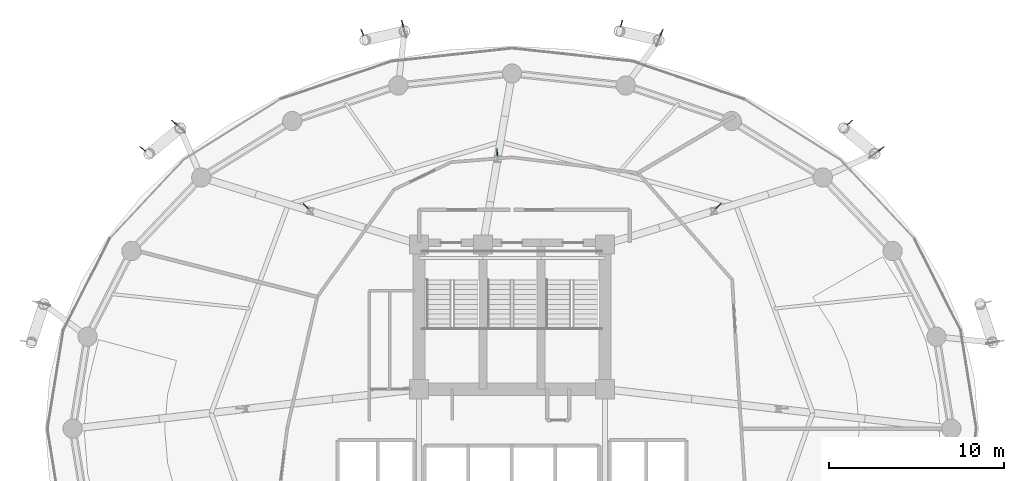
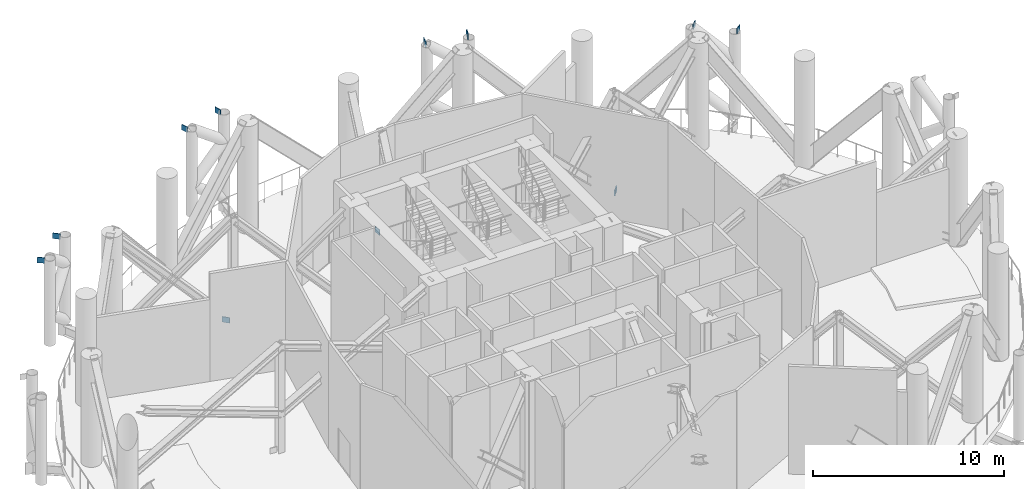
# One storey, part 14 of 19: 11 discrete accessories.
"""IFC4 building model written with IfcOpenShell, lengths in metres."""

from ifc_helpers import new_model, si_unit, direction, frame, origin, origin_2d, place, context, subcontext, project, spatial, rectangle, extrude, material, type_object, element, save


model = new_model("IFC4")

# Units and contexts
model_context = context("Model", 3, precision=1e-05, world=origin(), true_north=direction((0.0, 1.0)))
body_context = subcontext(model_context, "Body", "Model", "MODEL_VIEW")
ifc_project = project(units=[si_unit("LENGTHUNIT", "METRE"), si_unit("AREAUNIT", "SQUARE_METRE"), si_unit("VOLUMEUNIT", "CUBIC_METRE"), si_unit("PLANEANGLEUNIT", "RADIAN"), si_unit("MASSUNIT", "GRAM", prefix="KILO")], contexts=[model_context])

# Site, building, storey
site_placement = place(None, origin())
site = spatial("IfcSite", under=ifc_project, at=site_placement, CompositionType="ELEMENT")
building_placement = place(site_placement, origin())
building = spatial("IfcBuilding", under=site, at=building_placement, Name="Nuhasar Tower", CompositionType="ELEMENT")
storey_placement = place(building_placement, frame((0.0, 0.0, 106.050048828125)))
storey = spatial("IfcBuildingStorey", under=building, at=storey_placement, Name="L25", CompositionType="ELEMENT", Elevation=106.050048828125)

# Discrete accessories
ifc_material = material(Name="Steel S460", Category="steel")
discrete_accessory_type = type_object("IfcDiscreteAccessoryType", Name="ACC-GUS-40", PredefinedType="USERDEFINED", material=ifc_material)
for number, where, z_axis, x_axis, name in (
    (1, (60.048095703125, 42.74609375, 5.079833984375), (0.0, 0.0, 1.0), (0.797078306655, 0.60387595834, 0.0), "L25 Exoskeleton Chord Column EC-02A Gusset Plate"),
    (2, (58.25, 44.2451171875, 5.079833984375), (0.0, 0.0, 1.0), (0.741003867187, 0.671500758611, 0.0), "L25 Exoskeleton Chord Column EC-02B Gusset Plate"),
    (3, (47.531005859375, 49.385986328125, 5.079833984375), (0.0, 0.0, 1.0), (0.353344227708, 0.93549337611, 0.0), "L25 Exoskeleton Chord Column EC-03A Gusset Plate"),
    (4, (45.242919921875, 49.89794921875, 5.079833984375), (0.0, 0.0, 1.0), (0.260908902007, 0.965363426308, 0.0), "L25 Exoskeleton Chord Column EC-03B Gusset Plate"),
    (5, (32.757080078125, 49.89794921875, 5.079833984375), (0.0, 0.0, 1.0), (-0.260908902007, 0.965363426308, 0.0), "L25 Exoskeleton Chord Column EC-04A Gusset Plate"),
    (6, (30.468994140625, 49.385986328125, 5.079833984375), (0.0, 0.0, 1.0), (-0.353344227708, 0.93549337611, 0.0), "L25 Exoskeleton Chord Column EC-04B Gusset Plate"),
    (7, (19.75, 44.2451171875, 5.079833984375), (0.0, 0.0, 1.0), (-0.741003867187, 0.671500758611, 0.0), "L25 Exoskeleton Chord Column EC-05A Gusset Plate"),
    (8, (17.951904296875, 42.74609375, 5.079833984375), (0.0, 0.0, 1.0), (-0.797078306655, 0.60387595834, 0.0), "L25 Exoskeleton Chord Column EC-05B Gusset Plate"),
    (9, (50.764892578125, 39.488037109375, 0.0), (0.0, 0.0, 1.0), (0.679953378722, 0.733255346223, 0.0), "L25 Outrigger Truss Post 05 Gusset Plate"),
    (10, (38.155029296875, 42.553955078125, 0.0), (0.0, 0.0, 1.0), (-0.053573401254, 0.998563914168, 0.0), "L25 Outrigger Truss Post 06 Gusset Plate"),
    (11, (27.236083984375, 39.488037109375, 0.0), (0.0, 0.0, 1.0), (-0.679927782868, 0.733279080626, 0.0), "L25 Outrigger Truss Post 07 Gusset Plate"),
):
    element("IfcDiscreteAccessory", number, at=place(storey_placement, frame(where, z_axis=z_axis, x_axis=x_axis)), inside=storey, type_object=discrete_accessory_type, Name=name, ObjectType="STEEL_GUSSET_PLATE", PredefinedType="USERDEFINED", context=body_context, shape_type="SweptSolid", body=[
        extrude(rectangle(XDim=0.39990234375, YDim=0.0400390625, at=origin_2d()), origin(), (0.0, 0.0, 1.0), 0.35009765625),
    ])

save(model, "model.ifc")
